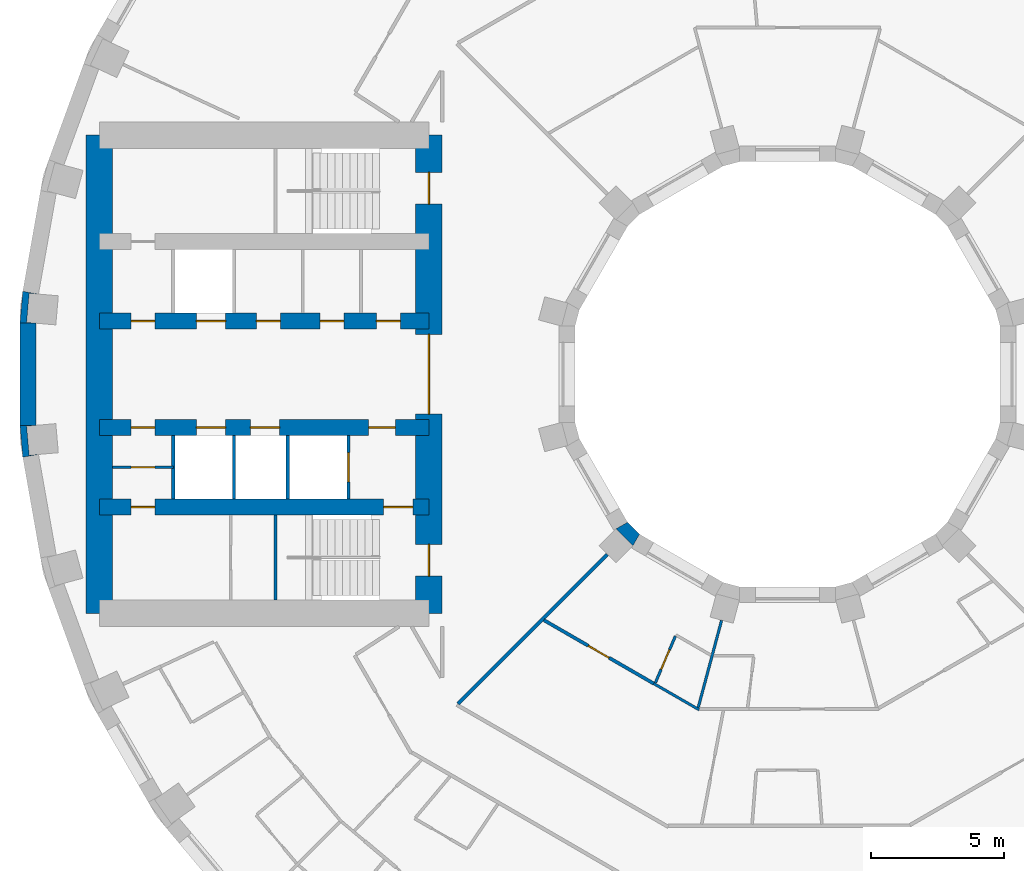
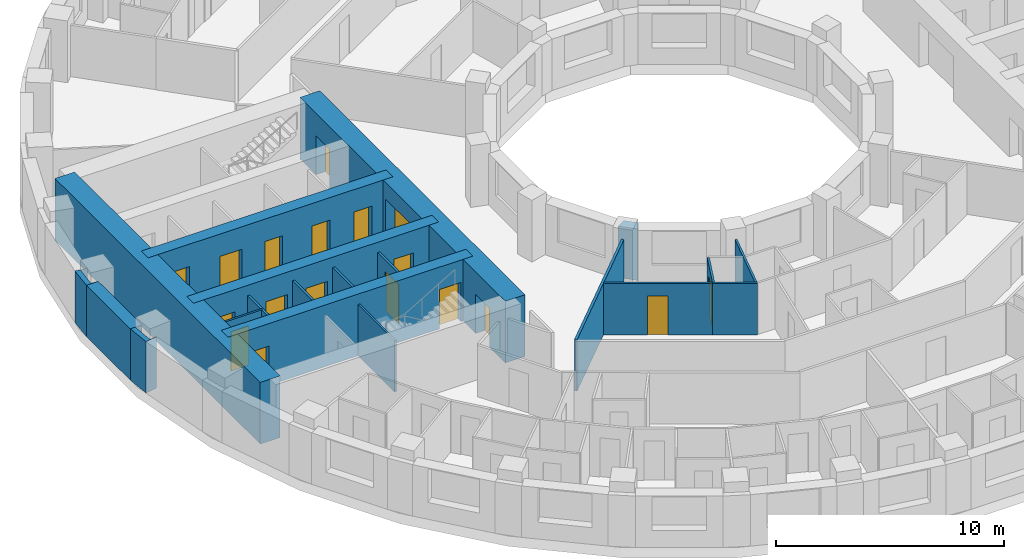
# One storey, part 6 of 15: 20 walls, 18 doors, 18 openings.
"""IFC4 building model written with IfcOpenShell, lengths in metres."""

from ifc_helpers import new_model, si_unit, direction, frame, frame_2d, origin, place, context, subcontext, project, spatial, polyline, rectangle, outline, extrude, material, layer, layer_set, type_object, element, fill, save


model = new_model("IFC4")

# Units and contexts
model_context = context("Model", 3, precision=1e-05, world=origin(), true_north=direction((0.0, 1.0)))
body_context = subcontext(model_context, "Body", "Model", "MODEL_VIEW")
ifc_project = project(units=[si_unit("LENGTHUNIT", "METRE"), si_unit("AREAUNIT", "SQUARE_METRE"), si_unit("VOLUMEUNIT", "CUBIC_METRE"), si_unit("PLANEANGLEUNIT", "RADIAN"), si_unit("MASSUNIT", "GRAM", prefix="KILO")], contexts=[model_context])

# Site, building, storey
site_placement = place(None, origin())
site = spatial("IfcSite", under=ifc_project, at=site_placement, CompositionType="ELEMENT")
building_placement = place(site_placement, origin())
building = spatial("IfcBuilding", under=site, at=building_placement, Name="Saqina Gate Tower", CompositionType="ELEMENT")
storey_placement = place(building_placement, frame((0.0, 0.0, 75.800048828125)))
storey = spatial("IfcBuildingStorey", under=building, at=storey_placement, Name="L21", CompositionType="ELEMENT", Elevation=75.800048828125)

# Walls
ifc_material_1 = material(Name="Brick masonry (red)", Category="masonry")
wall_type_1 = type_object("IfcWallType", Name="BRICK PIER COPING RED", PredefinedType="SOLIDWALL", material=ifc_material_1)
wall_1_placement = place(storey_placement, origin())
element("IfcWall", 1, at=wall_1_placement, inside=storey, type_object=wall_type_1, Name="Pier cap L21 column 18", PredefinedType="SOLIDWALL", context=body_context, shape_type="SweptSolid", body=[
    extrude(outline(polyline([(-28.78466796875, 3.122802734375), (-28.8896484375, 1.9228515625), (-28.28955078125, 1.9228515625), (-28.638671875, 1.95361328125), (-28.54296875, 3.04931640625), (-28.19384765625, 3.018798828125), (-28.78466796875, 3.122802734375)])), origin(), (0.0, 0.0, 1.0), 2.75),
])
wall_2_placement = place(storey_placement, origin())
element("IfcWall", 2, at=wall_2_placement, inside=storey, type_object=wall_type_1, Name="Pier cap L21 column 19", PredefinedType="SOLIDWALL", context=body_context, shape_type="SweptSolid", body=[
    extrude(outline(polyline([(-28.8896484375, -1.9228515625), (-28.78466796875, -3.122802734375), (-28.19384765625, -3.018798828125), (-28.54296875, -3.04931640625), (-28.638671875, -1.95361328125), (-28.28955078125, -1.9228515625), (-28.8896484375, -1.9228515625)])), origin(), (0.0, 0.0, 1.0), 2.75),
])

# Wall, opening, door
ifc_material_2 = material(Name="Gypsum board on steel studs", Category="steel")
ifc_layer_1 = layer(ifc_material_2, 0.10009765625)
ifc_layer_set_1 = layer_set([ifc_layer_1], Name="CORE PARTITION")
wall_type_2 = type_object("IfcWallType", Name="CORE PARTITION", PredefinedType="PARTITIONING", material=ifc_layer_set_1)
wall_3_placement = place(storey_placement, frame((-23.1201171875, -3.5, 0.0), z_axis=(0.0, 0.0, 1.0), x_axis=(-1.0, 0.0, 0.0)))
wall_3 = element("IfcWall", 3, at=wall_3_placement, inside=storey, type_object=wall_type_2, Name="L21-CP-W09", PredefinedType="PARTITIONING", context=body_context, shape_type="SweptSolid", body=[
    extrude(rectangle(XDim=2.27978515625, YDim=0.10009765625, at=frame_2d((1.139892578125, 0.0))), origin(), (0.0, 0.0, 1.0), 2.75),
])
opening_1_placement = place(wall_3_placement, frame((0.68994140625, 0.0, 0.0)))
opening_1 = element("IfcOpeningElement", 4, at=opening_1_placement, cuts=wall_3, Name="Opening G06-D111", PredefinedType="OPENING", context=body_context, shape_type="SweptSolid", body=[
    extrude(rectangle(XDim=0.89990234375, YDim=2.10009765625, at=frame_2d((0.449951171875, 1.050048828125))), frame((0.0, 0.06201171875, 0.0), z_axis=(0.0, -1.0, 0.0), x_axis=(1.0, 0.0, 0.0)), (0.0, 0.0, 1.0), 0.1240234375),
])
ifc_material_3 = material(Name="Steel-framed fire door leaf, EI 60", Category="steel")
door_type_1 = type_object("IfcDoorType", Name="SERVICE ROOM DOOR 900", OperationType="SINGLE_SWING_LEFT", PredefinedType="DOOR", material=ifc_material_3)
door_1_placement = place(opening_1_placement, origin())
door_1 = element("IfcDoor", 5, at=door_1_placement, inside=storey, type_object=door_type_1, Name="L21-CD-W22", OperationType="SINGLE_SWING_RIGHT", OverallHeight=2.10009765625, OverallWidth=0.89990234375, PredefinedType="DOOR", context=body_context, shape_type="SweptSolid", body=[
    extrude(rectangle(XDim=0.89990234375, YDim=2.10009765625, at=frame_2d((0.449951171875, 1.050048828125))), frame((0.0, 0.02490234375, 0.0), z_axis=(0.0, -1.0, 0.0), x_axis=(1.0, 0.0, 0.0)), (0.0, 0.0, 1.0), 0.050048828125),
])
fill(opening_1, door_1)

# Walls
ifc_material_4 = material(Name="Glazed ceramic tile", Category="ceramic")
ifc_layer_2 = layer(ifc_material_4, 0.60009765625)
ifc_layer_set_2 = layer_set([ifc_layer_2], Name="FW-TILE")
wall_type_3 = type_object("IfcWallType", Name="FW-TILE", PredefinedType="SOLIDWALL", material=ifc_layer_set_2)
wall_4_placement = place(storey_placement, frame((-28.589599609375, 1.9228515625, 0.0), z_axis=(0.0, 0.0, 1.0), x_axis=(0.0, -1.0, 0.0)))
element("IfcWall", 6, at=wall_4_placement, inside=storey, type_object=wall_type_3, Name="Facade wall L21 facet 18", PredefinedType="SOLIDWALL", context=body_context, shape_type="SweptSolid", body=[
    extrude(rectangle(XDim=3.845703125, YDim=0.60009765625, at=frame_2d((1.9228515625, 0.0))), origin(), (0.0, 0.0, 1.0), 2.75),
])
ifc_material_5 = material(Name="Gypsum board on steel studs, 100 mm", Category="steel")
ifc_layer_3 = layer(ifc_material_5, 0.10009765625)
ifc_layer_set_3 = layer_set([ifc_layer_3], Name="PARTITION 100")
wall_type_4 = type_object("IfcWallType", Name="PARTITION 100", PredefinedType="PARTITIONING", material=ifc_layer_set_3)
wall_5_placement = place(storey_placement, frame((-5.039306640625, -11.639892578125, 0.0), z_axis=(0.0, 0.0, 1.0), x_axis=(0.866070511036, -0.499921863808, 0.0)))
element("IfcWall", 7, at=wall_5_placement, inside=storey, type_object=wall_type_4, Name="PARTITION PW3-41", PredefinedType="PARTITIONING", context=body_context, shape_type="SweptSolid", body=[
    extrude(rectangle(XDim=1.978271484375, YDim=0.10009765625, at=frame_2d((0.9892578125, 0.0))), origin(), (0.0, 0.0, 1.0), 2.75),
])

# Wall, opening, door
wall_6_placement = place(storey_placement, frame((-4.971435546875, -11.607666015625, 0.0), z_axis=(0.0, 0.0, 1.0), x_axis=(0.393609497306, 0.919277740202, 0.0)))
wall_6 = element("IfcWall", 8, at=wall_6_placement, inside=storey, type_object=wall_type_4, Name="PARTITION PW3-108", PredefinedType="PARTITIONING", context=body_context, shape_type="SweptSolid", body=[
    extrude(rectangle(XDim=1.90234375, YDim=0.10009765625, at=frame_2d((0.951171875, 0.0))), origin(), (0.0, 0.0, 1.0), 2.75),
])
opening_2_placement = place(wall_6_placement, frame((0.544921875, 0.0, 0.0)))
opening_2 = element("IfcOpeningElement", 9, at=opening_2_placement, cuts=wall_6, Name="Opening G06-D46", PredefinedType="OPENING", context=body_context, shape_type="SweptSolid", body=[
    extrude(rectangle(XDim=0.800048828125, YDim=2.10009765625, at=frame_2d((0.39990234375, 1.050048828125))), frame((0.0, 0.06201171875, 0.0), z_axis=(0.0, -1.0, 0.0), x_axis=(1.0, 0.0, 0.0)), (0.0, 0.0, 1.0), 0.1240234375),
])
ifc_material_6 = material(Name="Timber door leaf, 800 mm", Category="wood")
door_type_2 = type_object("IfcDoorType", Name="DOOR 800 TIMBER", OperationType="SINGLE_SWING_LEFT", PredefinedType="DOOR", material=ifc_material_6)
door_2_placement = place(opening_2_placement, origin())
door_2 = element("IfcDoor", 10, at=door_2_placement, inside=storey, type_object=door_type_2, Name="DOOR G06-D46", OperationType="SINGLE_SWING_LEFT", OverallHeight=2.10009765625, OverallWidth=0.800048828125, PredefinedType="DOOR", context=body_context, shape_type="SweptSolid", body=[
    extrude(rectangle(XDim=0.800048828125, YDim=2.10009765625, at=frame_2d((0.39990234375, 1.050048828125))), frame((0.0, 0.02490234375, 0.0), z_axis=(0.0, -1.0, 0.0), x_axis=(1.0, 0.0, 0.0)), (0.0, 0.0, 1.0), 0.050048828125),
])
fill(opening_2, door_2)

# Wall
wall_7_placement = place(storey_placement, frame((-3.36279296875, -12.5517578125, 0.0), z_axis=(0.0, 0.0, 1.0), x_axis=(0.258761193143, 0.965941325818, 0.0)))
element("IfcWall", 11, at=wall_7_placement, inside=storey, type_object=wall_type_4, Name="PARTITION PW3-113", PredefinedType="PARTITIONING", context=body_context, shape_type="SweptSolid", body=[
    extrude(rectangle(XDim=3.40234375, YDim=0.10009765625, at=frame_2d((1.701171875, 0.0))), origin(), (0.0, 0.0, 1.0), 2.75),
])

# Wall, opening, door
ifc_material_7 = material(Name="Gypsum board on steel studs, 125 mm, fire rated", Category="steel")
ifc_layer_4 = layer(ifc_material_7, 0.125)
ifc_layer_set_4 = layer_set([ifc_layer_4], Name="PARTITION EI 30 125")
wall_type_5 = type_object("IfcWallType", Name="PARTITION EI 30 125", PredefinedType="PARTITIONING", material=ifc_layer_set_4)
wall_8_placement = place(storey_placement, frame((-9.169921875, -9.25537109375, 0.0), z_axis=(0.0, 0.0, 1.0), x_axis=(0.866051761422, -0.499954344453, 0.0)))
wall_8 = element("IfcWall", 12, at=wall_8_placement, inside=storey, type_object=wall_type_5, Name="PARTITION PW1-23", PredefinedType="PARTITIONING", context=body_context, shape_type="SweptSolid", body=[
    extrude(rectangle(XDim=4.76953125, YDim=0.125, at=frame_2d((2.384765625, 0.0))), origin(), (0.0, 0.0, 1.0), 2.75),
])
opening_3_placement = place(wall_8_placement, frame((1.928466796875, 0.0, 0.0)))
opening_3 = element("IfcOpeningElement", 13, at=opening_3_placement, cuts=wall_8, Name="Opening G06-D43", PredefinedType="OPENING", context=body_context, shape_type="SweptSolid", body=[
    extrude(rectangle(XDim=0.89990234375, YDim=2.10009765625, at=frame_2d((0.449951171875, 1.050048828125))), frame((0.0, 0.074462890625, 0.0), z_axis=(0.0, -1.0, 0.0), x_axis=(1.0, 0.0, 0.0)), (0.0, 0.0, 1.0), 0.14892578125),
])
ifc_material_8 = material(Name="Fire door leaf EI 30, 900 mm")
door_type_3 = type_object("IfcDoorType", Name="DOOR 900 EI 30", OperationType="SINGLE_SWING_LEFT", PredefinedType="DOOR", material=ifc_material_8)
door_3_placement = place(opening_3_placement, frame((0.89990234375, 0.0, 0.0), z_axis=(0.0, 0.0, 1.0), x_axis=(-1.0, 0.0, 0.0)))
door_3 = element("IfcDoor", 14, at=door_3_placement, inside=storey, type_object=door_type_3, Name="DOOR G06-D43", OperationType="SINGLE_SWING_RIGHT", OverallHeight=2.10009765625, OverallWidth=0.89990234375, PredefinedType="DOOR", context=body_context, shape_type="SweptSolid", body=[
    extrude(rectangle(XDim=0.89990234375, YDim=2.10009765625, at=frame_2d((0.449951171875, 1.050048828125))), frame((0.0, 0.02490234375, 0.0), z_axis=(0.0, -1.0, 0.0), x_axis=(1.0, 0.0, 0.0)), (0.0, 0.0, 1.0), 0.050048828125),
])
fill(opening_3, door_3)

# Wall
wall_9_placement = place(storey_placement, frame((-12.40087890625, -12.40087890625, 0.0), z_axis=(0.0, 0.0, 1.0), x_axis=(0.707106781187, 0.707106781187, 0.0)))
element("IfcWall", 15, at=wall_9_placement, inside=storey, type_object=wall_type_5, Name="PARTITION PW1-53", PredefinedType="PARTITIONING", context=body_context, shape_type="SweptSolid", body=[
    extrude(rectangle(XDim=7.9453125, YDim=0.125, at=frame_2d((3.97265625, 0.0))), origin(), (0.0, 0.0, 1.0), 2.75),
])

# Wall, opening, door
ifc_material_9 = material(Name="Autoclaved aerated concrete block", Category="concrete")
ifc_layer_5 = layer(ifc_material_9, 0.1201171875)
ifc_layer_set_5 = layer_set([ifc_layer_5], Name="SHAFT PARTITION")
wall_type_6 = type_object("IfcWallType", Name="SHAFT PARTITION", PredefinedType="PARTITIONING", material=ifc_layer_set_5)
wall_10_placement = place(storey_placement, frame((-16.530029296875, -4.699951171875, 0.0), z_axis=(0.0, 0.0, 1.0), x_axis=(0.0, 1.0, 0.0)))
wall_10 = element("IfcWall", 16, at=wall_10_placement, inside=storey, type_object=wall_type_6, Name="L21-CP-W05", PredefinedType="PARTITIONING", context=body_context, shape_type="SweptSolid", body=[
    extrude(rectangle(XDim=2.39990234375, YDim=0.1201171875, at=frame_2d((1.199951171875, 0.0))), origin(), (0.0, 0.0, 1.0), 2.75),
])
opening_4_placement = place(wall_10_placement, frame((0.64990234375, 0.0, 0.0)))
opening_4 = element("IfcOpeningElement", 17, at=opening_4_placement, cuts=wall_10, Name="Opening G06-LD6", PredefinedType="OPENING", context=body_context, shape_type="SweptSolid", body=[
    extrude(rectangle(XDim=1.10009765625, YDim=2.10009765625, at=frame_2d((0.550048828125, 1.050048828125))), frame((0.0, 0.072021484375, 0.0), z_axis=(0.0, -1.0, 0.0), x_axis=(1.0, 0.0, 0.0)), (0.0, 0.0, 1.0), 0.14404296875),
])
ifc_material_10 = material(Name="Stainless steel", Category="steel")
door_type_4 = type_object("IfcDoorType", Name="LANDING DOOR", OperationType="DOUBLE_DOOR_SLIDING", PredefinedType="DOOR", material=ifc_material_10)
door_4_placement = place(opening_4_placement, origin())
door_4 = element("IfcDoor", 18, at=door_4_placement, inside=storey, type_object=door_type_4, Name="LANDING DOOR FF2", OperationType="DOUBLE_DOOR_SLIDING", OverallHeight=2.10009765625, OverallWidth=1.10009765625, PredefinedType="DOOR", context=body_context, shape_type="SweptSolid", body=[
    extrude(rectangle(XDim=1.10009765625, YDim=2.10009765625, at=frame_2d((0.550048828125, 1.050048828125))), frame((0.0, 0.02490234375, 0.0), z_axis=(0.0, -1.0, 0.0), x_axis=(1.0, 0.0, 0.0)), (0.0, 0.0, 1.0), 0.050048828125),
])
fill(opening_4, door_4)

# Walls
for number, where, z_axis, x_axis, name in (
    (19, (-18.81005859375, -4.699951171875, 0.0), (0.0, 0.0, 1.0), (0.0, 1.0, 0.0), "L21-CP-W06"),
    (20, (-20.840087890625, -4.699951171875, 0.0), (0.0, 0.0, 1.0), (0.0, 1.0, 0.0), "L21-CP-W07"),
    (21, (-23.1201171875, -4.699951171875, 0.0), (0.0, 0.0, 1.0), (0.0, 1.0, 0.0), "L21-CP-W08"),
):
    element("IfcWall", number, at=place(storey_placement, frame(where, z_axis=z_axis, x_axis=x_axis)), inside=storey, type_object=wall_type_6, Name=name, PredefinedType="PARTITIONING", context=body_context, shape_type="SweptSolid", body=[
        extrude(rectangle(XDim=2.39990234375, YDim=0.1201171875, at=frame_2d((1.199951171875, 0.0))), origin(), (0.0, 0.0, 1.0), 2.75),
    ])
ifc_material_11 = material(Name="Autoclaved aerated concrete block", Category="concrete")
ifc_layer_6 = layer(ifc_material_11, 0.10009765625)
ifc_layer_set_6 = layer_set([ifc_layer_6], Name="STAIR ENCLOSURE WALL")
wall_type_7 = type_object("IfcWallType", Name="STAIR ENCLOSURE WALL", PredefinedType="PARTITIONING", material=ifc_layer_set_6)
wall_11_placement = place(storey_placement, frame((-19.27001953125, -8.5, 0.0), z_axis=(0.0, 0.0, 1.0), x_axis=(0.0, 1.0, 0.0)))
element("IfcWall", 22, at=wall_11_placement, inside=storey, type_object=wall_type_7, Name="L21-CP-W11", PredefinedType="PARTITIONING", context=body_context, shape_type="SweptSolid", body=[
    extrude(rectangle(XDim=3.199951171875, YDim=0.10009765625, at=frame_2d((1.60009765625, 0.0))), origin(), (0.0, 0.0, 1.0), 2.75),
])

# Wall, openings, doors
ifc_material_12 = material(Name="Concrete C70/85", Category="concrete")
ifc_layer_7 = layer(ifc_material_12, 0.60009765625)
ifc_layer_set_7 = layer_set([ifc_layer_7], Name="Concrete C70/85")
wall_type_8 = type_object("IfcWallType", Name="STR-CORE WALL-A-I", PredefinedType="SHEAR", material=ifc_layer_set_7)
wall_12_placement = place(storey_placement, frame((-13.5, -5.0, 0.0), z_axis=(0.0, 0.0, 1.0), x_axis=(-1.0, 0.0, 0.0)))
wall_12 = element("IfcWall", 23, at=wall_12_placement, inside=storey, type_object=wall_type_8, Name="CORE WALL L21 W-X2", PredefinedType="SHEAR", context=body_context, shape_type="SweptSolid", body=[
    extrude(rectangle(XDim=12.39990234375, YDim=0.60009765625, at=frame_2d((6.199951171875, 0.0))), origin(), (0.0, 0.0, 1.0), 3.300048828125),
])
opening_5_placement = place(wall_12_placement, frame((10.31005859375, 0.0, 0.0)))
opening_5 = element("IfcOpeningElement", 24, at=opening_5_placement, cuts=wall_12, Name="Opening G06-D113", PredefinedType="OPENING", context=body_context, shape_type="SweptSolid", body=[
    extrude(rectangle(XDim=0.89990234375, YDim=2.10009765625, at=frame_2d((0.449951171875, 1.050048828125))), frame((0.0, 0.31201171875, 0.0), z_axis=(0.0, -1.0, 0.0), x_axis=(1.0, 0.0, 0.0)), (0.0, 0.0, 1.0), 0.6240234375),
])
opening_6_placement = place(wall_12_placement, frame((0.60009765625, 0.0, 0.0)))
opening_6 = element("IfcOpeningElement", 25, at=opening_6_placement, cuts=wall_12, Name="Opening G06-D114", PredefinedType="OPENING", context=body_context, shape_type="SweptSolid", body=[
    extrude(rectangle(XDim=1.10009765625, YDim=2.10009765625, at=frame_2d((0.550048828125, 1.050048828125))), frame((0.0, 0.31201171875, 0.0), z_axis=(0.0, -1.0, 0.0), x_axis=(1.0, 0.0, 0.0)), (0.0, 0.0, 1.0), 0.6240234375),
])
ifc_material_13 = material(Name="Steel", Category="steel")
door_type_5 = type_object("IfcDoorType", Name="FIRE LOBBY DOOR EI 60 WIDE", OperationType="SINGLE_SWING_LEFT", PredefinedType="DOOR", material=ifc_material_13)
door_5_placement = place(opening_6_placement, origin())
door_5 = element("IfcDoor", 26, at=door_5_placement, inside=storey, type_object=door_type_5, Name="L21-CD-W25", OperationType="SINGLE_SWING_LEFT", OverallHeight=2.10009765625, OverallWidth=1.10009765625, PredefinedType="DOOR", context=body_context, shape_type="SweptSolid", body=[
    extrude(rectangle(XDim=1.10009765625, YDim=2.10009765625, at=frame_2d((0.550048828125, 1.050048828125))), frame((0.0, 0.02490234375, 0.0), z_axis=(0.0, -1.0, 0.0), x_axis=(1.0, 0.0, 0.0)), (0.0, 0.0, 1.0), 0.050048828125),
])
fill(opening_6, door_5)
door_6_placement = place(opening_5_placement, origin())
door_6 = element("IfcDoor", 27, at=door_6_placement, inside=storey, type_object=door_type_1, Name="L21-CD-W24", OperationType="SINGLE_SWING_RIGHT", OverallHeight=2.10009765625, OverallWidth=0.89990234375, PredefinedType="DOOR", context=body_context, shape_type="SweptSolid", body=[
    extrude(rectangle(XDim=0.89990234375, YDim=2.10009765625, at=frame_2d((0.449951171875, 1.050048828125))), frame((0.0, 0.02490234375, 0.0), z_axis=(0.0, -1.0, 0.0), x_axis=(1.0, 0.0, 0.0)), (0.0, 0.0, 1.0), 0.050048828125),
])
fill(opening_5, door_6)

wall_13_placement = place(storey_placement, frame((-13.5, 2.0, 0.0), z_axis=(0.0, 0.0, 1.0), x_axis=(-1.0, 0.0, 0.0)))
wall_13 = element("IfcWall", 28, at=wall_13_placement, inside=storey, type_object=wall_type_8, Name="CORE WALL L21 W-L1", PredefinedType="SHEAR", context=body_context, shape_type="SweptSolid", body=[
    extrude(rectangle(XDim=12.39990234375, YDim=0.60009765625, at=frame_2d((6.199951171875, 0.0))), origin(), (0.0, 0.0, 1.0), 3.300048828125),
])
opening_7_placement = place(wall_13_placement, frame((7.64990234375, 0.0, 0.0)))
opening_7 = element("IfcOpeningElement", 29, at=opening_7_placement, cuts=wall_13, Name="Opening G06-LD5", PredefinedType="OPENING", context=body_context, shape_type="SweptSolid", body=[
    extrude(rectangle(XDim=1.10009765625, YDim=2.10009765625, at=frame_2d((0.550048828125, 1.050048828125))), frame((0.0, 0.31201171875, 0.0), z_axis=(0.0, -1.0, 0.0), x_axis=(1.0, 0.0, 0.0)), (0.0, 0.0, 1.0), 0.6240234375),
])
opening_8_placement = place(wall_13_placement, frame((1.075927734375, 0.0, 0.0)))
opening_8 = element("IfcOpeningElement", 30, at=opening_8_placement, cuts=wall_13, Name="Opening G06-D104", PredefinedType="OPENING", context=body_context, shape_type="SweptSolid", body=[
    extrude(rectangle(XDim=0.89990234375, YDim=2.10009765625, at=frame_2d((0.449951171875, 1.050048828125))), frame((0.0, 0.31201171875, 0.0), z_axis=(0.0, -1.0, 0.0), x_axis=(1.0, 0.0, 0.0)), (0.0, 0.0, 1.0), 0.6240234375),
])
opening_9_placement = place(wall_13_placement, frame((3.1962890625, 0.0, 0.0)))
opening_9 = element("IfcOpeningElement", 31, at=opening_9_placement, cuts=wall_13, Name="Opening G06-D105", PredefinedType="OPENING", context=body_context, shape_type="SweptSolid", body=[
    extrude(rectangle(XDim=0.89990234375, YDim=2.10009765625, at=frame_2d((0.449951171875, 1.050048828125))), frame((0.0, 0.31201171875, 0.0), z_axis=(0.0, -1.0, 0.0), x_axis=(1.0, 0.0, 0.0)), (0.0, 0.0, 1.0), 0.6240234375),
])
opening_10_placement = place(wall_13_placement, frame((5.59033203125, 0.0, 0.0)))
opening_10 = element("IfcOpeningElement", 32, at=opening_10_placement, cuts=wall_13, Name="Opening G06-D106", PredefinedType="OPENING", context=body_context, shape_type="SweptSolid", body=[
    extrude(rectangle(XDim=0.89990234375, YDim=2.10009765625, at=frame_2d((0.449951171875, 1.050048828125))), frame((0.0, 0.31201171875, 0.0), z_axis=(0.0, -1.0, 0.0), x_axis=(1.0, 0.0, 0.0)), (0.0, 0.0, 1.0), 0.6240234375),
])
opening_11_placement = place(wall_13_placement, frame((10.31005859375, 0.0, 0.0)))
opening_11 = element("IfcOpeningElement", 33, at=opening_11_placement, cuts=wall_13, Name="Opening G06-D107", PredefinedType="OPENING", context=body_context, shape_type="SweptSolid", body=[
    extrude(rectangle(XDim=0.89990234375, YDim=2.10009765625, at=frame_2d((0.449951171875, 1.050048828125))), frame((0.0, 0.31201171875, 0.0), z_axis=(0.0, -1.0, 0.0), x_axis=(1.0, 0.0, 0.0)), (0.0, 0.0, 1.0), 0.6240234375),
])
door_7_placement = place(opening_7_placement, origin())
door_7 = element("IfcDoor", 34, at=door_7_placement, inside=storey, type_object=door_type_4, Name="LANDING DOOR LR4", OperationType="DOUBLE_DOOR_SLIDING", OverallHeight=2.10009765625, OverallWidth=1.10009765625, PredefinedType="DOOR", context=body_context, shape_type="SweptSolid", body=[
    extrude(rectangle(XDim=1.10009765625, YDim=2.10009765625, at=frame_2d((0.550048828125, 1.050048828125))), frame((0.0, 0.02490234375, 0.0), z_axis=(0.0, -1.0, 0.0), x_axis=(1.0, 0.0, 0.0)), (0.0, 0.0, 1.0), 0.050048828125),
])
fill(opening_7, door_7)
door_8_placement = place(opening_8_placement, frame((0.89990234375, 0.0, 0.0), z_axis=(0.0, 0.0, 1.0), x_axis=(-1.0, 0.0, 0.0)))
door_8 = element("IfcDoor", 35, at=door_8_placement, inside=storey, type_object=door_type_1, Name="L21-CD-W15", OperationType="SINGLE_SWING_LEFT", OverallHeight=2.10009765625, OverallWidth=0.89990234375, PredefinedType="DOOR", context=body_context, shape_type="SweptSolid", body=[
    extrude(rectangle(XDim=0.89990234375, YDim=2.10009765625, at=frame_2d((0.449951171875, 1.050048828125))), frame((0.0, 0.02490234375, 0.0), z_axis=(0.0, -1.0, 0.0), x_axis=(1.0, 0.0, 0.0)), (0.0, 0.0, 1.0), 0.050048828125),
])
fill(opening_8, door_8)
door_9_placement = place(opening_9_placement, frame((0.89990234375, 0.0, 0.0), z_axis=(0.0, 0.0, 1.0), x_axis=(-1.0, 0.0, 0.0)))
door_9 = element("IfcDoor", 36, at=door_9_placement, inside=storey, type_object=door_type_1, Name="L21-CD-W16", OperationType="SINGLE_SWING_RIGHT", OverallHeight=2.10009765625, OverallWidth=0.89990234375, PredefinedType="DOOR", context=body_context, shape_type="SweptSolid", body=[
    extrude(rectangle(XDim=0.89990234375, YDim=2.10009765625, at=frame_2d((0.449951171875, 1.050048828125))), frame((0.0, 0.02490234375, 0.0), z_axis=(0.0, -1.0, 0.0), x_axis=(1.0, 0.0, 0.0)), (0.0, 0.0, 1.0), 0.050048828125),
])
fill(opening_9, door_9)
door_10_placement = place(opening_10_placement, frame((0.89990234375, 0.0, 0.0), z_axis=(0.0, 0.0, 1.0), x_axis=(-1.0, 0.0, 0.0)))
door_10 = element("IfcDoor", 37, at=door_10_placement, inside=storey, type_object=door_type_1, Name="L21-CD-W17", OperationType="SINGLE_SWING_RIGHT", OverallHeight=2.10009765625, OverallWidth=0.89990234375, PredefinedType="DOOR", context=body_context, shape_type="SweptSolid", body=[
    extrude(rectangle(XDim=0.89990234375, YDim=2.10009765625, at=frame_2d((0.449951171875, 1.050048828125))), frame((0.0, 0.02490234375, 0.0), z_axis=(0.0, -1.0, 0.0), x_axis=(1.0, 0.0, 0.0)), (0.0, 0.0, 1.0), 0.050048828125),
])
fill(opening_10, door_10)
door_11_placement = place(opening_11_placement, frame((0.89990234375, 0.0, 0.0), z_axis=(0.0, 0.0, 1.0), x_axis=(-1.0, 0.0, 0.0)))
door_11 = element("IfcDoor", 38, at=door_11_placement, inside=storey, type_object=door_type_1, Name="L21-CD-W18", OperationType="SINGLE_SWING_LEFT", OverallHeight=2.10009765625, OverallWidth=0.89990234375, PredefinedType="DOOR", context=body_context, shape_type="SweptSolid", body=[
    extrude(rectangle(XDim=0.89990234375, YDim=2.10009765625, at=frame_2d((0.449951171875, 1.050048828125))), frame((0.0, 0.02490234375, 0.0), z_axis=(0.0, -1.0, 0.0), x_axis=(1.0, 0.0, 0.0)), (0.0, 0.0, 1.0), 0.050048828125),
])
fill(opening_11, door_11)

wall_14_placement = place(storey_placement, frame((-13.5, -2.0, 0.0), z_axis=(0.0, 0.0, 1.0), x_axis=(-1.0, 0.0, 0.0)))
wall_14 = element("IfcWall", 39, at=wall_14_placement, inside=storey, type_object=wall_type_8, Name="CORE WALL L21 W-L2", PredefinedType="SHEAR", context=body_context, shape_type="SweptSolid", body=[
    extrude(rectangle(XDim=12.39990234375, YDim=0.60009765625, at=frame_2d((6.199951171875, 0.0))), origin(), (0.0, 0.0, 1.0), 3.300048828125),
])
opening_12_placement = place(wall_14_placement, frame((5.6201171875, 0.0, 0.0)))
opening_12 = element("IfcOpeningElement", 40, at=opening_12_placement, cuts=wall_14, Name="Opening G06-LD7", PredefinedType="OPENING", context=body_context, shape_type="SweptSolid", body=[
    extrude(rectangle(XDim=1.10009765625, YDim=2.10009765625, at=frame_2d((0.550048828125, 1.050048828125))), frame((0.0, 0.31201171875, 0.0), z_axis=(0.0, -1.0, 0.0), x_axis=(1.0, 0.0, 0.0)), (0.0, 0.0, 1.0), 0.6240234375),
])
opening_13_placement = place(wall_14_placement, frame((7.64990234375, 0.0, 0.0)))
opening_13 = element("IfcOpeningElement", 41, at=opening_13_placement, cuts=wall_14, Name="Opening G06-LD8", PredefinedType="OPENING", context=body_context, shape_type="SweptSolid", body=[
    extrude(rectangle(XDim=1.10009765625, YDim=2.10009765625, at=frame_2d((0.550048828125, 1.050048828125))), frame((0.0, 0.31201171875, 0.0), z_axis=(0.0, -1.0, 0.0), x_axis=(1.0, 0.0, 0.0)), (0.0, 0.0, 1.0), 0.6240234375),
])
opening_14_placement = place(wall_14_placement, frame((1.264892578125, 0.0, 0.0)))
opening_14 = element("IfcOpeningElement", 42, at=opening_14_placement, cuts=wall_14, Name="Opening G06-D108", PredefinedType="OPENING", context=body_context, shape_type="SweptSolid", body=[
    extrude(rectangle(XDim=1.0, YDim=2.10009765625, at=frame_2d((0.5, 1.050048828125))), frame((0.0, 0.31201171875, 0.0), z_axis=(0.0, -1.0, 0.0), x_axis=(1.0, 0.0, 0.0)), (0.0, 0.0, 1.0), 0.6240234375),
])
opening_15_placement = place(wall_14_placement, frame((10.31005859375, 0.0, 0.0)))
opening_15 = element("IfcOpeningElement", 43, at=opening_15_placement, cuts=wall_14, Name="Opening G06-D109", PredefinedType="OPENING", context=body_context, shape_type="SweptSolid", body=[
    extrude(rectangle(XDim=0.89990234375, YDim=2.10009765625, at=frame_2d((0.449951171875, 1.050048828125))), frame((0.0, 0.31201171875, 0.0), z_axis=(0.0, -1.0, 0.0), x_axis=(1.0, 0.0, 0.0)), (0.0, 0.0, 1.0), 0.6240234375),
])
ifc_material_14 = material(Name="Steel", Category="steel")
door_type_6 = type_object("IfcDoorType", Name="FIRE LOBBY DOOR EI 60", OperationType="SINGLE_SWING_LEFT", PredefinedType="DOOR", material=ifc_material_14)
door_12_placement = place(opening_14_placement, frame((1.0, 0.0, 0.0), z_axis=(0.0, 0.0, 1.0), x_axis=(-1.0, 0.0, 0.0)))
door_12 = element("IfcDoor", 44, at=door_12_placement, inside=storey, type_object=door_type_6, Name="L21-CD-W19", OperationType="SINGLE_SWING_RIGHT", OverallHeight=2.10009765625, OverallWidth=1.0, PredefinedType="DOOR", context=body_context, shape_type="SweptSolid", body=[
    extrude(rectangle(XDim=1.0, YDim=2.10009765625, at=frame_2d((0.5, 1.050048828125))), frame((0.0, 0.02490234375, 0.0), z_axis=(0.0, -1.0, 0.0), x_axis=(1.0, 0.0, 0.0)), (0.0, 0.0, 1.0), 0.050048828125),
])
fill(opening_14, door_12)
door_13_placement = place(opening_12_placement, origin())
door_13 = element("IfcDoor", 45, at=door_13_placement, inside=storey, type_object=door_type_4, Name="LANDING DOOR LR6", OperationType="DOUBLE_DOOR_SLIDING", OverallHeight=2.10009765625, OverallWidth=1.10009765625, PredefinedType="DOOR", context=body_context, shape_type="SweptSolid", body=[
    extrude(rectangle(XDim=1.10009765625, YDim=2.10009765625, at=frame_2d((0.550048828125, 1.050048828125))), frame((0.0, 0.02490234375, 0.0), z_axis=(0.0, -1.0, 0.0), x_axis=(1.0, 0.0, 0.0)), (0.0, 0.0, 1.0), 0.050048828125),
])
fill(opening_12, door_13)
door_14_placement = place(opening_13_placement, origin())
door_14 = element("IfcDoor", 46, at=door_14_placement, inside=storey, type_object=door_type_4, Name="LANDING DOOR LR5", OperationType="DOUBLE_DOOR_SLIDING", OverallHeight=2.10009765625, OverallWidth=1.10009765625, PredefinedType="DOOR", context=body_context, shape_type="SweptSolid", body=[
    extrude(rectangle(XDim=1.10009765625, YDim=2.10009765625, at=frame_2d((0.550048828125, 1.050048828125))), frame((0.0, 0.02490234375, 0.0), z_axis=(0.0, -1.0, 0.0), x_axis=(1.0, 0.0, 0.0)), (0.0, 0.0, 1.0), 0.050048828125),
])
fill(opening_13, door_14)
door_15_placement = place(opening_15_placement, origin())
door_15 = element("IfcDoor", 47, at=door_15_placement, inside=storey, type_object=door_type_1, Name="L21-CD-W20", OperationType="SINGLE_SWING_RIGHT", OverallHeight=2.10009765625, OverallWidth=0.89990234375, PredefinedType="DOOR", context=body_context, shape_type="SweptSolid", body=[
    extrude(rectangle(XDim=0.89990234375, YDim=2.10009765625, at=frame_2d((0.449951171875, 1.050048828125))), frame((0.0, 0.02490234375, 0.0), z_axis=(0.0, -1.0, 0.0), x_axis=(1.0, 0.0, 0.0)), (0.0, 0.0, 1.0), 0.050048828125),
])
fill(opening_15, door_15)

ifc_material_15 = material(Name="Concrete C70/85", Category="concrete")
ifc_layer_8 = layer(ifc_material_15, 1.0)
ifc_layer_set_8 = layer_set([ifc_layer_8], Name="Concrete C70/85")
wall_type_9 = type_object("IfcWallType", Name="STR-CORE WALL-A-O", PredefinedType="SHEAR", material=ifc_layer_set_8)
wall_15_placement = place(storey_placement, frame((-13.5, -9.0, 0.0), z_axis=(0.0, 0.0, 1.0), x_axis=(0.0, 1.0, 0.0)))
wall_15 = element("IfcWall", 48, at=wall_15_placement, inside=storey, type_object=wall_type_9, Name="CORE WALL L21 W-W1", PredefinedType="SHEAR", context=body_context, shape_type="SweptSolid", body=[
    extrude(rectangle(XDim=18.0, YDim=1.0, at=frame_2d((9.0, 0.0))), origin(), (0.0, 0.0, 1.0), 3.300048828125),
])
opening_16_placement = place(wall_15_placement, frame((15.39990234375, 0.0, 0.0)))
opening_16 = element("IfcOpeningElement", 49, at=opening_16_placement, cuts=wall_15, Name="Opening G06-D115", PredefinedType="OPENING", context=body_context, shape_type="SweptSolid", body=[
    extrude(rectangle(XDim=1.199951171875, YDim=2.10009765625, at=frame_2d((0.60009765625, 1.050048828125))), frame((0.0, 0.511962890625, 0.0), z_axis=(0.0, -1.0, 0.0), x_axis=(1.0, 0.0, 0.0)), (0.0, 0.0, 1.0), 1.02392578125),
])
opening_17_placement = place(wall_15_placement, frame((1.39990234375, 0.0, 0.0)))
opening_17 = element("IfcOpeningElement", 50, at=opening_17_placement, cuts=wall_15, Name="Opening G06-D116", PredefinedType="OPENING", context=body_context, shape_type="SweptSolid", body=[
    extrude(rectangle(XDim=1.199951171875, YDim=2.10009765625, at=frame_2d((0.60009765625, 1.050048828125))), frame((0.0, 0.511962890625, 0.0), z_axis=(0.0, -1.0, 0.0), x_axis=(1.0, 0.0, 0.0)), (0.0, 0.0, 1.0), 1.02392578125),
])
opening_18_placement = place(wall_15_placement, frame((7.5, 0.0, 0.0)))
opening_18 = element("IfcOpeningElement", 51, at=opening_18_placement, cuts=wall_15, Name="Opening G06-D117", PredefinedType="OPENING", context=body_context, shape_type="SweptSolid", body=[
    extrude(rectangle(XDim=3.0, YDim=2.39990234375, at=frame_2d((1.5, 1.199951171875))), frame((0.0, 0.511962890625, 0.0), z_axis=(0.0, -1.0, 0.0), x_axis=(1.0, 0.0, 0.0)), (0.0, 0.0, 1.0), 1.02392578125),
])
ifc_material_16 = material(Name="Steel", Category="steel")
door_type_7 = type_object("IfcDoorType", Name="FIRE DOOR EI 60", OperationType="SINGLE_SWING_LEFT", PredefinedType="DOOR", material=ifc_material_16)
door_16_placement = place(opening_16_placement, origin())
door_16 = element("IfcDoor", 52, at=door_16_placement, inside=storey, type_object=door_type_7, Name="L21-CD-W26", OperationType="SINGLE_SWING_RIGHT", OverallHeight=2.10009765625, OverallWidth=1.199951171875, PredefinedType="DOOR", context=body_context, shape_type="SweptSolid", body=[
    extrude(rectangle(XDim=1.199951171875, YDim=2.10009765625, at=frame_2d((0.60009765625, 1.050048828125))), frame((0.0, 0.02490234375, 0.0), z_axis=(0.0, -1.0, 0.0), x_axis=(1.0, 0.0, 0.0)), (0.0, 0.0, 1.0), 0.050048828125),
])
fill(opening_16, door_16)
door_17_placement = place(opening_17_placement, origin())
door_17 = element("IfcDoor", 53, at=door_17_placement, inside=storey, type_object=door_type_7, Name="L21-CD-W27", OperationType="SINGLE_SWING_LEFT", OverallHeight=2.10009765625, OverallWidth=1.199951171875, PredefinedType="DOOR", context=body_context, shape_type="SweptSolid", body=[
    extrude(rectangle(XDim=1.199951171875, YDim=2.10009765625, at=frame_2d((0.60009765625, 1.050048828125))), frame((0.0, 0.02490234375, 0.0), z_axis=(0.0, -1.0, 0.0), x_axis=(1.0, 0.0, 0.0)), (0.0, 0.0, 1.0), 0.050048828125),
])
fill(opening_17, door_17)
ifc_material_17 = material(Name="Steel and fire-resisting glass", Category="steel")
door_type_8 = type_object("IfcDoorType", Name="LOBBY SCREEN DOOR", OperationType="DOUBLE_DOOR_SLIDING", PredefinedType="DOOR", material=ifc_material_17)
door_18_placement = place(opening_18_placement, origin())
door_18 = element("IfcDoor", 54, at=door_18_placement, inside=storey, type_object=door_type_8, Name="L21-CD-W28", OperationType="DOUBLE_DOOR_SLIDING", OverallHeight=2.39990234375, OverallWidth=3.0, PredefinedType="DOOR", context=body_context, shape_type="SweptSolid", body=[
    extrude(rectangle(XDim=3.0, YDim=2.39990234375, at=frame_2d((1.5, 1.199951171875))), frame((0.0, 0.02490234375, 0.0), z_axis=(0.0, -1.0, 0.0), x_axis=(1.0, 0.0, 0.0)), (0.0, 0.0, 1.0), 0.050048828125),
])
fill(opening_18, door_18)

# Walls
wall_16_placement = place(storey_placement, frame((-25.89990234375, -9.0, 0.0), z_axis=(0.0, 0.0, 1.0), x_axis=(0.0, 1.0, 0.0)))
element("IfcWall", 55, at=wall_16_placement, inside=storey, type_object=wall_type_9, Name="CORE WALL L21 W-W2", PredefinedType="SHEAR", context=body_context, shape_type="SweptSolid", body=[
    extrude(rectangle(XDim=18.0, YDim=1.0, at=frame_2d((9.0, 0.0))), origin(), (0.0, 0.0, 1.0), 3.300048828125),
])
ifc_material_18 = material(Name="Glazed ceramic tile", Category="ceramic")
wall_type_10 = type_object("IfcWallType", Name="TILE PIER COPING", PredefinedType="SOLIDWALL", material=ifc_material_18)
wall_17_placement = place(storey_placement, origin())
element("IfcWall", 56, at=wall_17_placement, inside=storey, type_object=wall_type_10, Name="Well pier cap L21 column 8", PredefinedType="SOLIDWALL", context=body_context, shape_type="SweptSolid", body=[
    extrude(outline(polyline([(-6.45751953125, -5.821044921875), (-5.821044921875, -6.45751953125), (-5.569580078125, -6.02197265625), (-6.02197265625, -5.569580078125), (-6.45751953125, -5.821044921875)])), origin(), (0.0, 0.0, 1.0), 2.75),
])

save(model, "model.ifc")
